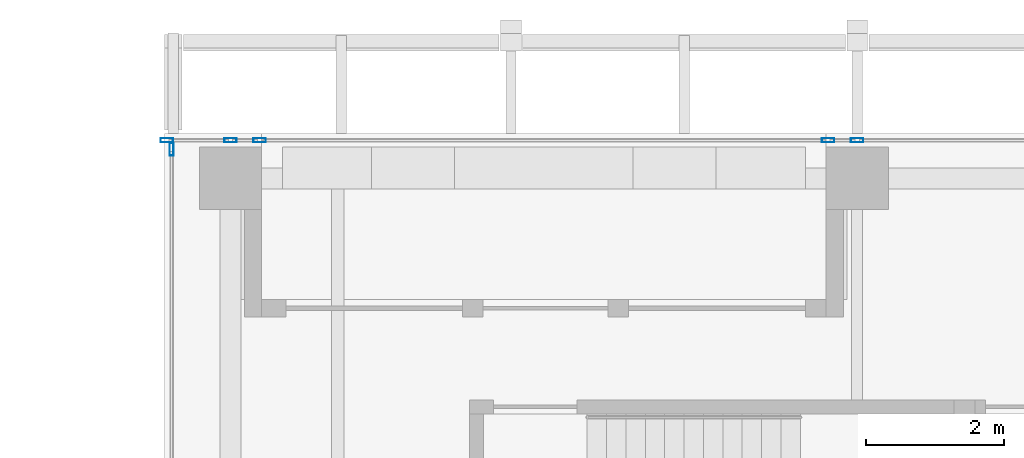
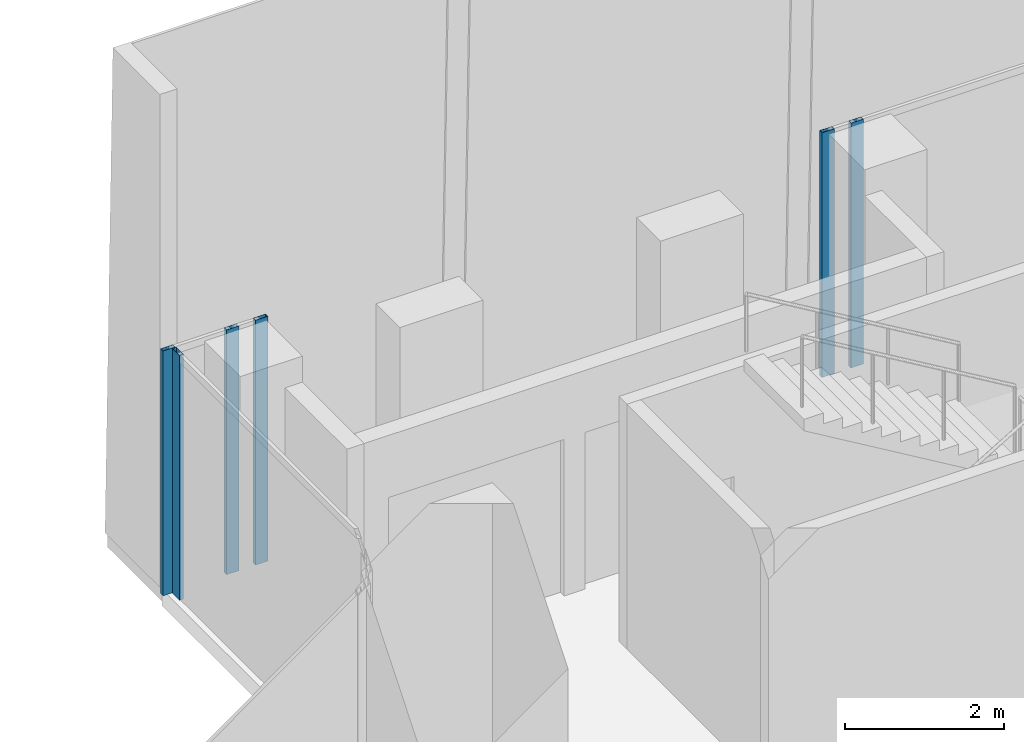
# One storey, part 16 of 35: 6 members, 3 elements without a shape of their own.
"""IFC4 building model written with IfcOpenShell, lengths in metres."""

from ifc_helpers import new_model, si_unit, direction, frame, origin, origin_2d, place, context, subcontext, project, spatial, hollow_rectangle, extrude, source, transform, mapped, material, material_profile, profile_set, type_object, element, aggregate, save


model = new_model("IFC4")

# Units and contexts
model_context = context("Model", 3, precision=1e-05, world=origin(), true_north=direction((0.0, 1.0)))
body_context = subcontext(model_context, "Body", "Model", "MODEL_VIEW")
ifc_project = project(units=[si_unit("LENGTHUNIT", "METRE"), si_unit("AREAUNIT", "SQUARE_METRE"), si_unit("VOLUMEUNIT", "CUBIC_METRE"), si_unit("PLANEANGLEUNIT", "RADIAN"), si_unit("MASSUNIT", "GRAM", prefix="KILO")], contexts=[model_context])

# Site, building, storey
site_placement = place(None, origin())
site = spatial("IfcSite", under=ifc_project, at=site_placement, CompositionType="ELEMENT")
building_placement = place(site_placement, origin())
building = spatial("IfcBuilding", under=site, at=building_placement, Name="Khomas Fold Tower", CompositionType="ELEMENT")
storey_placement = place(building_placement, frame((0.0, 0.0, 266.199951171875)))
storey = spatial("IfcBuildingStorey", under=building, at=storey_placement, Name="L60", CompositionType="ELEMENT", Elevation=266.199951171875)

# Curtain wall, members
ifc_material_1 = material(Name="Aluminium framed double glazing", Category="aluminium")
curtain_wall_type = type_object("IfcCurtainWallType", Name="SK-Unitised clear-glass wall, office floors CW2", PredefinedType="NOTDEFINED", material=ifc_material_1)
curtain_wall_1_placement = place(storey_placement, origin())
curtain_wall_1 = element("IfcCurtainWall", 1, at=curtain_wall_1_placement, inside=storey, type_object=curtain_wall_type, Name="CW2 run L60 06-1", PredefinedType="NOTDEFINED")
ifc_material_2 = material(Name="Aluminium", Category="aluminium")
ifc_material_profile = material_profile(ifc_material_2, hollow_rectangle(XDim=0.06005859375, YDim=0.179931640625, WallThickness=0.00390625, at=origin_2d()), Name="SK-Unitised clear-glass wall, office floors mullion CW2-M")
ifc_profile_set = profile_set([ifc_material_profile], Name="Aluminium")
member_type = type_object("IfcMemberType", Name="SK-Unitised clear-glass wall, office floors mullion CW2-M", PredefinedType="MULLION", material=ifc_profile_set)
shared_shape = source(origin(), body_context, "Body", "SweptSolid", [
    extrude(hollow_rectangle(XDim=0.06005859375, YDim=0.179931640625, WallThickness=0.00390625, at=origin_2d()), origin(), (0.0, 0.0, 1.0), 3.75),
])
member_1_placement = place(storey_placement, frame((19.5, 49.39990234375, 0.0), z_axis=(0.0, 0.0, 1.0), x_axis=(0.0, -1.0, 0.0)))
member_1 = element("IfcMember", 2, at=member_1_placement, type_object=member_type, Name="CW2 mullion 3", PredefinedType="MULLION", context=body_context, shape_type="MappedRepresentation", body=[
    mapped(shared_shape, transform((0.0, 0.0, 0.0))),
])
member_2_placement = place(storey_placement, frame((19.080078125, 49.39990234375, 0.0), z_axis=(0.0, 0.0, 1.0), x_axis=(0.0, -1.0, 0.0)))
member_2 = element("IfcMember", 3, at=member_2_placement, type_object=member_type, Name="CW2 mullion 4", PredefinedType="MULLION", context=body_context, shape_type="MappedRepresentation", body=[
    mapped(shared_shape, transform((0.0, 0.0, 0.0))),
])
aggregate(curtain_wall_1, [member_1, member_2])

curtain_wall_2_placement = place(storey_placement, origin())
curtain_wall_2 = element("IfcCurtainWall", 4, at=curtain_wall_2_placement, inside=storey, type_object=curtain_wall_type, Name="CW2 run L60 06-2", PredefinedType="NOTDEFINED")
member_3_placement = place(storey_placement, frame((10.8701171875, 49.39990234375, 0.0), z_axis=(0.0, 0.0, 1.0), x_axis=(0.0, -1.0, 0.0)))
member_3 = element("IfcMember", 5, at=member_3_placement, type_object=member_type, Name="CW2 mullion 1", PredefinedType="MULLION", context=body_context, shape_type="MappedRepresentation", body=[
    mapped(shared_shape, transform((0.0, 0.0, 0.0))),
])
member_4_placement = place(storey_placement, frame((10.449951171875, 49.39990234375, 0.0), z_axis=(0.0, 0.0, 1.0), x_axis=(0.0, -1.0, 0.0)))
member_4 = element("IfcMember", 6, at=member_4_placement, type_object=member_type, Name="CW2 mullion 2", PredefinedType="MULLION", context=body_context, shape_type="MappedRepresentation", body=[
    mapped(shared_shape, transform((0.0, 0.0, 0.0))),
])
member_5_placement = place(storey_placement, frame((9.530029296875, 49.39990234375, 0.0), z_axis=(0.0, 0.0, 1.0), x_axis=(0.0, -1.0, 0.0)))
member_5 = element("IfcMember", 7, at=member_5_placement, type_object=member_type, Name="CW2 mullion 3", PredefinedType="MULLION", context=body_context, shape_type="MappedRepresentation", body=[
    mapped(shared_shape, transform((0.0, 0.0, 0.0))),
])
aggregate(curtain_wall_2, [member_3, member_4, member_5])

# Curtain wall, member
curtain_wall_3_placement = place(storey_placement, origin())
curtain_wall_3 = element("IfcCurtainWall", 8, at=curtain_wall_3_placement, inside=storey, type_object=curtain_wall_type, Name="CW2 corner return L60 07", PredefinedType="NOTDEFINED")
member_6_placement = place(storey_placement, frame((9.60009765625, 49.27001953125, 0.0), z_axis=(0.0, 0.0, 1.0), x_axis=(1.0, 0.0, 0.0)))
member_6 = element("IfcMember", 9, at=member_6_placement, type_object=member_type, Name="CW2 mullion 1", PredefinedType="MULLION", context=body_context, shape_type="MappedRepresentation", body=[
    mapped(shared_shape, transform((0.0, 0.0, 0.0))),
])
aggregate(curtain_wall_3, [member_6])

save(model, "model.ifc")
